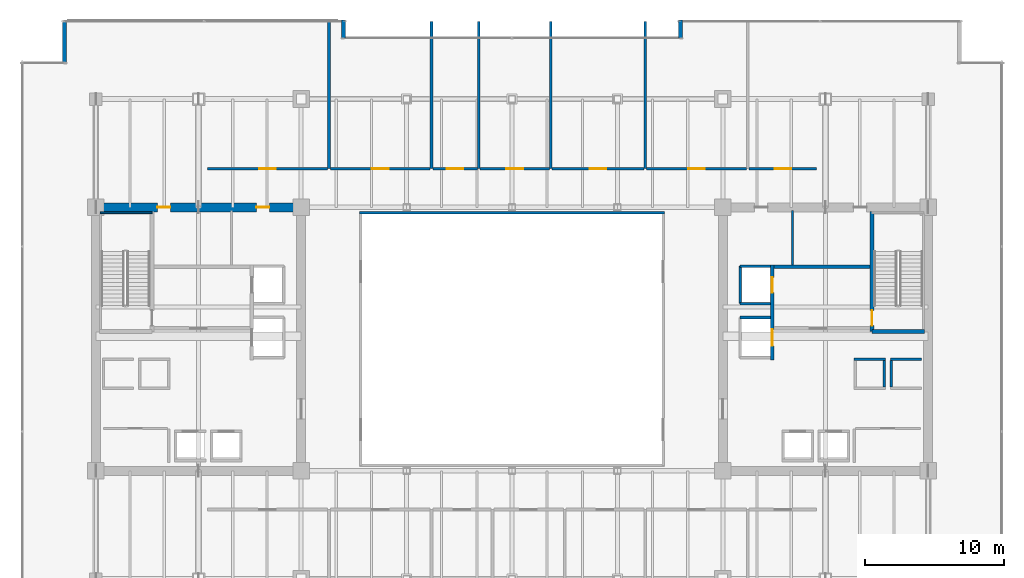
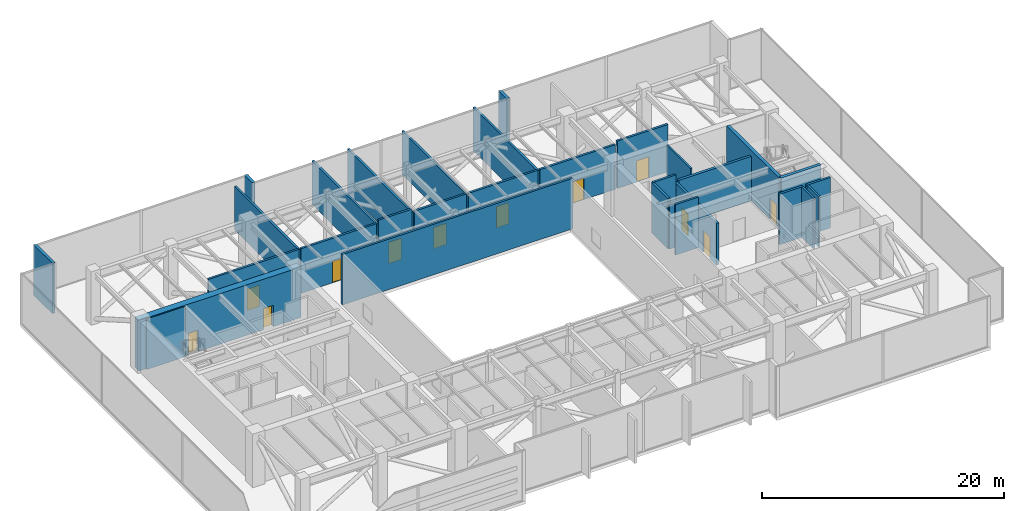
# One storey, part 30 of 34: 31 walls, 12 doors, 12 openings.
"""IFC4 building model written with IfcOpenShell, lengths in metres."""

from ifc_helpers import new_model, si_unit, direction, frame, frame_2d, origin, place, context, subcontext, project, spatial, rectangle, extrude, source, transform, mapped, material, layer, layer_set, type_object, type_shapes, element, fill, save


model = new_model("IFC4")

# Units and contexts
model_context = context("Model", 3, precision=1e-05, world=origin(), true_north=direction((0.0, 1.0)))
body_context = subcontext(model_context, "Body", "Model", "MODEL_VIEW")
ifc_project = project(units=[si_unit("LENGTHUNIT", "METRE"), si_unit("AREAUNIT", "SQUARE_METRE"), si_unit("VOLUMEUNIT", "CUBIC_METRE"), si_unit("PLANEANGLEUNIT", "RADIAN"), si_unit("MASSUNIT", "GRAM", prefix="KILO")], contexts=[model_context])

# Site, building, storey
site_placement = place(None, origin())
site = spatial("IfcSite", under=ifc_project, at=site_placement, CompositionType="ELEMENT")
building_placement = place(site_placement, origin())
building = spatial("IfcBuilding", under=site, at=building_placement, Name="Haelvirn Gate Laboratories", CompositionType="ELEMENT")
storey_placement = place(building_placement, frame((0.0, 0.0, 191.199951171875)))
storey = spatial("IfcBuildingStorey", under=building, at=storey_placement, Name="L46", CompositionType="ELEMENT", Elevation=191.199951171875)

# Walls
ifc_material_1 = material(Name="Thermally-broken bronze aluminium rainscreen & mineral wool", Category="aluminium")
ifc_layer_1 = layer(ifc_material_1, 0.280029296875, Name="EW-TERR-280")
ifc_layer_set_1 = layer_set([ifc_layer_1], Name="Thermally-broken bronze aluminium rainscreen & mineral wool")
wall_type_1 = type_object("IfcWallType", Name="EW-TERR-280", PredefinedType="STANDARD", material=ifc_layer_set_1)
for number, where, z_axis, x_axis, name in (
    (1, (49.5400390625, 47.300048828125, 0.0), (0.0, 0.0, 1.0), (0.0, -1.0, 0.0), "L46 Atrium Recess Bronze Return Wall 11"),
    (2, (25.260009765625, 46.011962890625, 0.0), (0.0, 0.0, 1.0), (0.0, 1.0, 0.0), "L46 Atrium Recess Bronze Return Wall 13"),
):
    element("IfcWall", number, at=place(storey_placement, frame(where, z_axis=z_axis, x_axis=x_axis)), inside=storey, type_object=wall_type_1, Name=name, PredefinedType="STANDARD", context=body_context, shape_type="SweptSolid", body=[
        extrude(rectangle(XDim=1.2880859375, YDim=0.280029296875, at=frame_2d((0.64404296875, 0.0))), origin(), (0.0, 0.0, 1.0), 5.10009765625),
    ])
wall_1_placement = place(storey_placement, frame((5.139892578125, 47.300048828125, 0.0), z_axis=(0.0, 0.0, 1.0), x_axis=(0.0, -1.0, 0.0)))
element("IfcWall", 3, at=wall_1_placement, inside=storey, type_object=wall_type_1, Name="L46 Atrium Recess Bronze Return Wall 15", PredefinedType="STANDARD", context=body_context, shape_type="SweptSolid", body=[
    extrude(rectangle(XDim=3.088134765625, YDim=0.280029296875, at=frame_2d((1.5439453125, 0.0))), origin(), (0.0, 0.0, 1.0), 5.10009765625),
])
ifc_material_2 = material(Name="Tempered fire-rated borosilicate glass & anodised aluminium", Category="aluminium")
ifc_layer_2 = layer(ifc_material_2, 0.195068359375, Name="IW-GLAZ-200")
ifc_layer_set_2 = layer_set([ifc_layer_2], Name="Tempered fire-rated borosilicate glass & anodised aluminium")
wall_type_2 = type_object("IfcWallType", Name="IW-GLAZ-200", PredefinedType="SOLIDWALL", material=ifc_layer_set_2)
wall_2_placement = place(storey_placement, frame((26.39990234375, 33.39990234375, 0.0), z_axis=(0.0, 0.0, 1.0), x_axis=(1.0, 0.0, 0.0)))
element("IfcWall", 4, at=wall_2_placement, inside=storey, type_object=wall_type_2, Name="L46 Interior Wall IW-L46-ATRIUM-N", PredefinedType="SOLIDWALL", context=body_context, shape_type="SweptSolid", body=[
    extrude(rectangle(XDim=22.0, YDim=0.195068359375, at=frame_2d((11.0, 0.0))), origin(), (0.0, 0.0, 1.0), 5.10009765625),
])
ifc_material_3 = material(Name="Cement-board restroom plumbing chase wall", Category="gypsum")
ifc_layer_3 = layer(ifc_material_3, 0.155029296875, Name="IW-PLUMB-160")
ifc_layer_set_3 = layer_set([ifc_layer_3], Name="Cement-board restroom plumbing chase wall")
wall_type_3 = type_object("IfcWallType", Name="IW-PLUMB-160", PredefinedType="PLUMBINGWALL", material=ifc_layer_set_3)
wall_3_placement = place(storey_placement, frame((57.610107421875, 29.64990234375, 0.0), z_axis=(0.0, 0.0, 1.0), x_axis=(0.0, 1.0, 0.0)))
element("IfcWall", 5, at=wall_3_placement, inside=storey, type_object=wall_type_3, Name="L46 Interior Wall IW-L46-E-CDIV-1", PredefinedType="PLUMBINGWALL", context=body_context, shape_type="SweptSolid", body=[
    extrude(rectangle(XDim=3.93017578125, YDim=0.155029296875, at=frame_2d((1.965087890625, 0.0))), origin(), (0.0, 0.0, 1.0), 5.10009765625),
])
ifc_material_4 = material(Name="Concrete C40/50", Category="concrete")
ifc_layer_4 = layer(ifc_material_4, 0.179931640625, Name="IW-SHAFT-180")
ifc_layer_set_4 = layer_set([ifc_layer_4], Name="Concrete C40/50")
wall_type_4 = type_object("IfcWallType", Name="IW-SHAFT-180", PredefinedType="SOLIDWALL", material=ifc_layer_set_4)
for number, where, z_axis, x_axis, name in (
    (6, (64.75, 20.85009765625, 0.0), (0.0, 0.0, 1.0), (0.0, 1.0, 0.0), "L46 Interior Wall IW-L46-PL11-SD"),
    (7, (64.25, 20.85009765625, 0.0), (0.0, 0.0, 1.0), (0.0, 1.0, 0.0), "L46 Interior Wall IW-L46-PL12-SDE"),
):
    element("IfcWall", number, at=place(storey_placement, frame(where, z_axis=z_axis, x_axis=x_axis)), inside=storey, type_object=wall_type_4, Name=name, PredefinedType="SOLIDWALL", context=body_context, shape_type="SweptSolid", body=[
        extrude(rectangle(XDim=1.89990234375, YDim=0.179931640625, at=frame_2d((0.949951171875, 0.0))), origin(), (0.0, 0.0, 1.0), 5.10009765625),
    ])
ifc_layer_5 = layer(ifc_material_4, 0.199951171875, Name="IW-SHAFT-200")
ifc_layer_set_5 = layer_set([ifc_layer_5], Name="Concrete C40/50")
wall_type_5 = type_object("IfcWallType", Name="IW-SHAFT-200", PredefinedType="SOLIDWALL", material=ifc_layer_set_5)
for number, where, z_axis, x_axis, name in (
    (8, (64.669921875, 22.85009765625, 0.0), (0.0, 0.0, 1.0), (1.0, 0.0, 0.0), "L46 Interior Wall IW-L46-PL11-BK"),
    (9, (62.070068359375, 22.85009765625, 0.0), (0.0, 0.0, 1.0), (1.0, 0.0, 0.0), "L46 Interior Wall IW-L46-PL12-BK"),
):
    element("IfcWall", number, at=place(storey_placement, frame(where, z_axis=z_axis, x_axis=x_axis)), inside=storey, type_object=wall_type_5, Name=name, PredefinedType="SOLIDWALL", context=body_context, shape_type="SweptSolid", body=[
        extrude(rectangle(XDim=2.260009765625, YDim=0.199951171875, at=frame_2d((1.1298828125, 0.0))), origin(), (0.0, 0.0, 1.0), 5.10009765625),
    ])
wall_4_placement = place(storey_placement, frame((53.85009765625, 26.85009765625, 0.0), z_axis=(0.0, 0.0, 1.0), x_axis=(0.0, 1.0, 0.0)))
element("IfcWall", 10, at=wall_4_placement, inside=storey, type_object=wall_type_5, Name="L46 Interior Wall IW-L46-FL2-BK", PredefinedType="SOLIDWALL", context=body_context, shape_type="SweptSolid", body=[
    extrude(rectangle(XDim=2.699951171875, YDim=0.199951171875, at=frame_2d((1.35009765625, 0.0))), origin(), (0.0, 0.0, 1.0), 5.10009765625),
])
wall_5_placement = place(storey_placement, frame((53.85009765625, 29.550048828125, 0.0), z_axis=(0.0, 0.0, 1.0), x_axis=(1.0, 0.0, 0.0)))
element("IfcWall", 11, at=wall_5_placement, inside=storey, type_object=wall_type_5, Name="L46 Interior Wall IW-L46-FL2-N", PredefinedType="SOLIDWALL", context=body_context, shape_type="SweptSolid", body=[
    extrude(rectangle(XDim=2.18994140625, YDim=0.199951171875, at=frame_2d((1.094970703125, 0.0))), origin(), (0.0, 0.0, 1.0), 5.10009765625),
])
wall_6_placement = place(storey_placement, frame((53.85009765625, 26.85009765625, 0.0), z_axis=(0.0, 0.0, 1.0), x_axis=(1.0, 0.0, 0.0)))
element("IfcWall", 12, at=wall_6_placement, inside=storey, type_object=wall_type_5, Name="L46 Interior Wall IW-L46-FL2-S", PredefinedType="SOLIDWALL", context=body_context, shape_type="SweptSolid", body=[
    extrude(rectangle(XDim=2.18994140625, YDim=0.199951171875, at=frame_2d((1.094970703125, 0.0))), origin(), (0.0, 0.0, 1.0), 4.4970703125),
])
wall_7_placement = place(storey_placement, frame((53.85009765625, 25.85009765625, 0.0), z_axis=(0.0, 0.0, 1.0), x_axis=(1.0, 0.0, 0.0)))
element("IfcWall", 13, at=wall_7_placement, inside=storey, type_object=wall_type_5, Name="L46 Interior Wall IW-L46-SL2-N", PredefinedType="SOLIDWALL", context=body_context, shape_type="SweptSolid", body=[
    extrude(rectangle(XDim=2.18994140625, YDim=0.199951171875, at=frame_2d((1.094970703125, 0.0))), origin(), (0.0, 0.0, 1.0), 5.10009765625),
])

# Wall, opening, door
wall_8_placement = place(storey_placement, frame((15.449951171875, 36.580078125, 0.0), z_axis=(0.0, 0.0, 1.0), x_axis=(1.0, 0.0, 0.0)))
wall_8 = element("IfcWall", 14, at=wall_8_placement, inside=storey, type_object=wall_type_5, Name="L46 Interior Wall IW-L46-PNW-1", PredefinedType="SOLIDWALL", context=body_context, shape_type="SweptSolid", body=[
    extrude(rectangle(XDim=8.650146484375, YDim=0.199951171875, at=frame_2d((4.3251953125, 0.0))), origin(), (0.0, 0.0, 1.0), 4.4970703125),
])
opening_1_placement = place(wall_8_placement, frame((3.72509765625, 0.0, 0.0)))
opening_1 = element("IfcOpeningElement", 15, at=opening_1_placement, cuts=wall_8, Name="Opening FD2", PredefinedType="OPENING", context=body_context, shape_type="SweptSolid", body=[
    extrude(rectangle(XDim=1.199951171875, YDim=2.159912109375, at=frame_2d((0.60009765625, 1.080078125))), frame((0.0, 0.10986328125, 0.0), z_axis=(0.0, -1.0, 0.0), x_axis=(1.0, 0.0, 0.0)), (0.0, 0.0, 1.0), 0.219970703125),
])
ifc_material_5 = material(Name="Fire-rated steel SM355 compartment door", Category="steel")
door_type_1 = type_object("IfcDoorType", Name="DR-FD-1200", OperationType="NOTDEFINED", PredefinedType="DOOR", material=ifc_material_5)
shared_shape_1 = source(origin(), body_context, "Body", "SweptSolid", [
    extrude(rectangle(XDim=1.199951171875, YDim=2.159912109375, at=frame_2d((0.60009765625, 1.080078125))), frame((0.0, 0.02490234375, 0.0), z_axis=(0.0, -1.0, 0.0), x_axis=(1.0, 0.0, 0.0)), (0.0, 0.0, 1.0), 0.050048828125),
])
type_shapes(door_type_1, [shared_shape_1])
door_1_placement = place(opening_1_placement, origin())
door_1 = element("IfcDoor", 16, at=door_1_placement, inside=storey, type_object=door_type_1, Name="L46 North-West Sky Evacuation Refuge Zone 2A Fire Door", OperationType="SINGLE_SWING_RIGHT", OverallHeight=2.159912109375, OverallWidth=1.199951171875, PredefinedType="DOOR", context=body_context, shape_type="MappedRepresentation", body=[
    mapped(shared_shape_1, transform((0.0, 0.0, 0.0), scale=1.0)),
])
fill(opening_1, door_1)

# Wall
wall_9_placement = place(storey_placement, frame((24.199951171875, 36.580078125, 0.0), z_axis=(0.0, 0.0, 1.0), x_axis=(0.0, 1.0, 0.0)))
element("IfcWall", 17, at=wall_9_placement, inside=storey, type_object=wall_type_5, Name="L46 Interior Wall IW-L46-PNDIV-1", PredefinedType="SOLIDWALL", context=body_context, shape_type="SweptSolid", body=[
    extrude(rectangle(XDim=10.60986328125, YDim=0.199951171875, at=frame_2d((5.304931640625, 0.0))), origin(), (0.0, 0.0, 1.0), 4.385009765625),
])

# Wall, opening, door
wall_10_placement = place(storey_placement, frame((24.300048828125, 36.580078125, 0.0), z_axis=(0.0, 0.0, 1.0), x_axis=(1.0, 0.0, 0.0)))
wall_10 = element("IfcWall", 18, at=wall_10_placement, inside=storey, type_object=wall_type_5, Name="L46 Interior Wall IW-L46-PNW-2", PredefinedType="SOLIDWALL", context=body_context, shape_type="SweptSolid", body=[
    extrude(rectangle(XDim=7.199951171875, YDim=0.199951171875, at=frame_2d((3.60009765625, 0.0))), origin(), (0.0, 0.0, 1.0), 4.4970703125),
])
opening_2_placement = place(wall_10_placement, frame((3.0, 0.0, 0.0)))
opening_2 = element("IfcOpeningElement", 19, at=opening_2_placement, cuts=wall_10, Name="Opening FD2", PredefinedType="OPENING", context=body_context, shape_type="SweptSolid", body=[
    extrude(rectangle(XDim=1.199951171875, YDim=2.159912109375, at=frame_2d((0.60009765625, 1.080078125))), frame((0.0, 0.10986328125, 0.0), z_axis=(0.0, -1.0, 0.0), x_axis=(1.0, 0.0, 0.0)), (0.0, 0.0, 1.0), 0.219970703125),
])
door_2_placement = place(opening_2_placement, origin())
door_2 = element("IfcDoor", 20, at=door_2_placement, inside=storey, type_object=door_type_1, Name="L46 North-West Sky Evacuation Refuge Zone 2B Fire Door", OperationType="SINGLE_SWING_LEFT", OverallHeight=2.159912109375, OverallWidth=1.199951171875, PredefinedType="DOOR", context=body_context, shape_type="MappedRepresentation", body=[
    mapped(shared_shape_1, transform((0.0, 0.0, 0.0), scale=1.0)),
])
fill(opening_2, door_2)

# Wall
wall_11_placement = place(storey_placement, frame((31.60009765625, 36.580078125, 0.0), z_axis=(0.0, 0.0, 1.0), x_axis=(0.0, 1.0, 0.0)))
element("IfcWall", 21, at=wall_11_placement, inside=storey, type_object=wall_type_5, Name="L46 Interior Wall IW-L46-PNDIV-2", PredefinedType="SOLIDWALL", context=body_context, shape_type="SweptSolid", body=[
    extrude(rectangle(XDim=10.60986328125, YDim=0.199951171875, at=frame_2d((5.304931640625, 0.0))), origin(), (0.0, 0.0, 1.0), 4.385009765625),
])

# Wall, opening, door
wall_12_placement = place(storey_placement, frame((31.699951171875, 36.580078125, 0.0), z_axis=(0.0, 0.0, 1.0), x_axis=(1.0, 0.0, 0.0)))
wall_12 = element("IfcWall", 22, at=wall_12_placement, inside=storey, type_object=wall_type_5, Name="L46 Interior Wall IW-L46-PNW-3", PredefinedType="SOLIDWALL", context=body_context, shape_type="SweptSolid", body=[
    extrude(rectangle(XDim=3.199951171875, YDim=0.199951171875, at=frame_2d((1.60009765625, 0.0))), origin(), (0.0, 0.0, 1.0), 4.78515625),
])
opening_3_placement = place(wall_12_placement, frame((1.0, 0.0, 0.0)))
opening_3 = element("IfcOpeningElement", 23, at=opening_3_placement, cuts=wall_12, Name="Opening FD2", PredefinedType="OPENING", context=body_context, shape_type="SweptSolid", body=[
    extrude(rectangle(XDim=1.199951171875, YDim=2.159912109375, at=frame_2d((0.60009765625, 1.080078125))), frame((0.0, 0.10986328125, 0.0), z_axis=(0.0, -1.0, 0.0), x_axis=(1.0, 0.0, 0.0)), (0.0, 0.0, 1.0), 0.219970703125),
])
door_3_placement = place(opening_3_placement, origin())
door_3 = element("IfcDoor", 24, at=door_3_placement, inside=storey, type_object=door_type_1, Name="L46 Mid-Zone AHU Mechanical Plant Fire Door", OperationType="SINGLE_SWING_RIGHT", OverallHeight=2.159912109375, OverallWidth=1.199951171875, PredefinedType="DOOR", context=body_context, shape_type="MappedRepresentation", body=[
    mapped(shared_shape_1, transform((0.0, 0.0, 0.0), scale=1.0)),
])
fill(opening_3, door_3)

# Wall
wall_13_placement = place(storey_placement, frame((35.0, 36.580078125, 0.0), z_axis=(0.0, 0.0, 1.0), x_axis=(0.0, 1.0, 0.0)))
element("IfcWall", 25, at=wall_13_placement, inside=storey, type_object=wall_type_5, Name="L46 Interior Wall IW-L46-PNDIV-3", PredefinedType="SOLIDWALL", context=body_context, shape_type="SweptSolid", body=[
    extrude(rectangle(XDim=10.60986328125, YDim=0.199951171875, at=frame_2d((5.304931640625, 0.0))), origin(), (0.0, 0.0, 1.0), 4.385009765625),
])

# Wall, opening, door
wall_14_placement = place(storey_placement, frame((35.10009765625, 36.580078125, 0.0), z_axis=(0.0, 0.0, 1.0), x_axis=(1.0, 0.0, 0.0)))
wall_14 = element("IfcWall", 26, at=wall_14_placement, inside=storey, type_object=wall_type_5, Name="L46 Interior Wall IW-L46-PNW-4", PredefinedType="SOLIDWALL", context=body_context, shape_type="SweptSolid", body=[
    extrude(rectangle(XDim=5.0, YDim=0.199951171875, at=frame_2d((2.5, 0.0))), origin(), (0.0, 0.0, 1.0), 4.4970703125),
])
opening_4_placement = place(wall_14_placement, frame((1.89990234375, 0.0, 0.0)))
opening_4 = element("IfcOpeningElement", 27, at=opening_4_placement, cuts=wall_14, Name="Opening FD2", PredefinedType="OPENING", context=body_context, shape_type="SweptSolid", body=[
    extrude(rectangle(XDim=1.199951171875, YDim=2.159912109375, at=frame_2d((0.60009765625, 1.080078125))), frame((0.0, 0.10986328125, 0.0), z_axis=(0.0, -1.0, 0.0), x_axis=(1.0, 0.0, 0.0)), (0.0, 0.0, 1.0), 0.219970703125),
])
door_4_placement = place(opening_4_placement, origin())
door_4 = element("IfcDoor", 28, at=door_4_placement, inside=storey, type_object=door_type_1, Name="L46 Lab Process Cooling Plant Fire Door", OperationType="SINGLE_SWING_LEFT", OverallHeight=2.159912109375, OverallWidth=1.199951171875, PredefinedType="DOOR", context=body_context, shape_type="MappedRepresentation", body=[
    mapped(shared_shape_1, transform((0.0, 0.0, 0.0), scale=1.0)),
])
fill(opening_4, door_4)

# Wall
wall_15_placement = place(storey_placement, frame((40.199951171875, 36.580078125, 0.0), z_axis=(0.0, 0.0, 1.0), x_axis=(0.0, 1.0, 0.0)))
element("IfcWall", 29, at=wall_15_placement, inside=storey, type_object=wall_type_5, Name="L46 Interior Wall IW-L46-PNDIV-4", PredefinedType="SOLIDWALL", context=body_context, shape_type="SweptSolid", body=[
    extrude(rectangle(XDim=10.60986328125, YDim=0.199951171875, at=frame_2d((5.304931640625, 0.0))), origin(), (0.0, 0.0, 1.0), 4.385009765625),
])

# Wall, opening, door
wall_16_placement = place(storey_placement, frame((40.300048828125, 36.580078125, 0.0), z_axis=(0.0, 0.0, 1.0), x_axis=(1.0, 0.0, 0.0)))
wall_16 = element("IfcWall", 30, at=wall_16_placement, inside=storey, type_object=wall_type_5, Name="L46 Interior Wall IW-L46-PNW-5", PredefinedType="SOLIDWALL", context=body_context, shape_type="SweptSolid", body=[
    extrude(rectangle(XDim=6.599853515625, YDim=0.199951171875, at=frame_2d((3.2998046875, 0.0))), origin(), (0.0, 0.0, 1.0), 4.4970703125),
])
opening_5_placement = place(wall_16_placement, frame((2.699951171875, 0.0, 0.0)))
opening_5 = element("IfcOpeningElement", 31, at=opening_5_placement, cuts=wall_16, Name="Opening FD2", PredefinedType="OPENING", context=body_context, shape_type="SweptSolid", body=[
    extrude(rectangle(XDim=1.199951171875, YDim=2.159912109375, at=frame_2d((0.60009765625, 1.080078125))), frame((0.0, 0.10986328125, 0.0), z_axis=(0.0, -1.0, 0.0), x_axis=(1.0, 0.0, 0.0)), (0.0, 0.0, 1.0), 0.219970703125),
])
door_5_placement = place(opening_5_placement, origin())
door_5 = element("IfcDoor", 32, at=door_5_placement, inside=storey, type_object=door_type_1, Name="L46 Controls & Telemetry MEP Plant Fire Door", OperationType="SINGLE_SWING_RIGHT", OverallHeight=2.159912109375, OverallWidth=1.199951171875, PredefinedType="DOOR", context=body_context, shape_type="MappedRepresentation", body=[
    mapped(shared_shape_1, transform((0.0, 0.0, 0.0), scale=1.0)),
])
fill(opening_5, door_5)

# Wall
wall_17_placement = place(storey_placement, frame((47.0, 36.580078125, 0.0), z_axis=(0.0, 0.0, 1.0), x_axis=(0.0, 1.0, 0.0)))
element("IfcWall", 33, at=wall_17_placement, inside=storey, type_object=wall_type_5, Name="L46 Interior Wall IW-L46-PNDIV-5", PredefinedType="SOLIDWALL", context=body_context, shape_type="SweptSolid", body=[
    extrude(rectangle(XDim=10.60986328125, YDim=0.199951171875, at=frame_2d((5.304931640625, 0.0))), origin(), (0.0, 0.0, 1.0), 4.385009765625),
])

# Wall, opening, door
wall_18_placement = place(storey_placement, frame((47.10009765625, 36.580078125, 0.0), z_axis=(0.0, 0.0, 1.0), x_axis=(1.0, 0.0, 0.0)))
wall_18 = element("IfcWall", 34, at=wall_18_placement, inside=storey, type_object=wall_type_5, Name="L46 Interior Wall IW-L46-PNW-6", PredefinedType="SOLIDWALL", context=body_context, shape_type="SweptSolid", body=[
    extrude(rectangle(XDim=7.199951171875, YDim=0.199951171875, at=frame_2d((3.60009765625, 0.0))), origin(), (0.0, 0.0, 1.0), 4.4970703125),
])
opening_6_placement = place(wall_18_placement, frame((3.0, 0.0, 0.0)))
opening_6 = element("IfcOpeningElement", 35, at=opening_6_placement, cuts=wall_18, Name="Opening FD2", PredefinedType="OPENING", context=body_context, shape_type="SweptSolid", body=[
    extrude(rectangle(XDim=1.199951171875, YDim=2.159912109375, at=frame_2d((0.60009765625, 1.080078125))), frame((0.0, 0.10986328125, 0.0), z_axis=(0.0, -1.0, 0.0), x_axis=(1.0, 0.0, 0.0)), (0.0, 0.0, 1.0), 0.219970703125),
])
door_6_placement = place(opening_6_placement, origin())
door_6 = element("IfcDoor", 36, at=door_6_placement, inside=storey, type_object=door_type_1, Name="L46 North-East Sky Evacuation Refuge Zone 2B Fire Door", OperationType="SINGLE_SWING_LEFT", OverallHeight=2.159912109375, OverallWidth=1.199951171875, PredefinedType="DOOR", context=body_context, shape_type="MappedRepresentation", body=[
    mapped(shared_shape_1, transform((0.0, 0.0, 0.0), scale=1.0)),
])
fill(opening_6, door_6)

wall_19_placement = place(storey_placement, frame((54.5, 36.580078125, 0.0), z_axis=(0.0, 0.0, 1.0), x_axis=(1.0, 0.0, 0.0)))
wall_19 = element("IfcWall", 37, at=wall_19_placement, inside=storey, type_object=wall_type_5, Name="L46 Interior Wall IW-L46-PNW-7", PredefinedType="SOLIDWALL", context=body_context, shape_type="SweptSolid", body=[
    extrude(rectangle(XDim=4.85009765625, YDim=0.199951171875, at=frame_2d((2.425048828125, 0.0))), origin(), (0.0, 0.0, 1.0), 4.78515625),
])
opening_7_placement = place(wall_19_placement, frame((1.824951171875, 0.0, 0.0)))
opening_7 = element("IfcOpeningElement", 38, at=opening_7_placement, cuts=wall_19, Name="Opening FD2", PredefinedType="OPENING", context=body_context, shape_type="SweptSolid", body=[
    extrude(rectangle(XDim=1.199951171875, YDim=2.159912109375, at=frame_2d((0.60009765625, 1.080078125))), frame((0.0, 0.10986328125, 0.0), z_axis=(0.0, -1.0, 0.0), x_axis=(1.0, 0.0, 0.0)), (0.0, 0.0, 1.0), 0.219970703125),
])
door_7_placement = place(opening_7_placement, origin())
door_7 = element("IfcDoor", 39, at=door_7_placement, inside=storey, type_object=door_type_1, Name="L46 North-East Sky Evacuation Refuge Zone 2A Fire Door", OperationType="SINGLE_SWING_RIGHT", OverallHeight=2.159912109375, OverallWidth=1.199951171875, PredefinedType="DOOR", context=body_context, shape_type="MappedRepresentation", body=[
    mapped(shared_shape_1, transform((0.0, 0.0, 0.0), scale=1.0)),
])
fill(opening_7, door_7)

# Wall
ifc_layer_6 = layer(ifc_material_4, 0.239990234375, Name="IW-SHAFT-240")
ifc_layer_set_6 = layer_set([ifc_layer_6], Name="Concrete C40/50")
wall_type_6 = type_object("IfcWallType", Name="IW-SHAFT-240", PredefinedType="SOLIDWALL", material=ifc_layer_set_6)
wall_20_placement = place(storey_placement, frame((56.280029296875, 29.52001953125, 0.0), z_axis=(0.0, 0.0, 1.0), x_axis=(1.0, 0.0, 0.0)))
element("IfcWall", 40, at=wall_20_placement, inside=storey, type_object=wall_type_6, Name="L46 Interior Wall IW-L46-E-FF-N", PredefinedType="SOLIDWALL", context=body_context, shape_type="SweptSolid", body=[
    extrude(rectangle(XDim=6.919921875, YDim=0.239990234375, at=frame_2d((3.4599609375, 0.0))), origin(), (0.0, 0.0, 1.0), 4.4970703125),
])

# Wall, openings, doors
wall_21_placement = place(storey_placement, frame((56.159912109375, 22.800048828125, 0.0), z_axis=(0.0, 0.0, 1.0), x_axis=(0.0, 1.0, 0.0)))
wall_21 = element("IfcWall", 41, at=wall_21_placement, inside=storey, type_object=wall_type_6, Name="L46 Interior Wall IW-L46-E-FF-E", PredefinedType="SOLIDWALL", context=body_context, shape_type="SweptSolid", body=[
    extrude(rectangle(XDim=6.849853515625, YDim=0.239990234375, at=frame_2d((3.4248046875, 0.0))), origin(), (0.0, 0.0, 1.0), 4.235107421875),
])
opening_8_placement = place(wall_21_placement, frame((4.85009765625, 0.0, 0.0)))
opening_8 = element("IfcOpeningElement", 42, at=opening_8_placement, cuts=wall_21, Name="Opening LD2", PredefinedType="OPENING", context=body_context, shape_type="SweptSolid", body=[
    extrude(rectangle(XDim=1.10009765625, YDim=2.219970703125, at=frame_2d((0.550048828125, 1.10986328125))), frame((0.0, 0.1298828125, 0.0), z_axis=(0.0, -1.0, 0.0), x_axis=(1.0, 0.0, 0.0)), (0.0, 0.0, 1.0), 0.260009765625),
])
opening_9_placement = place(wall_21_placement, frame((1.0, 0.0, 0.0)))
opening_9 = element("IfcOpeningElement", 43, at=opening_9_placement, cuts=wall_21, Name="Opening LD1", PredefinedType="OPENING", context=body_context, shape_type="SweptSolid", body=[
    extrude(rectangle(XDim=1.199951171875, YDim=2.219970703125, at=frame_2d((0.60009765625, 1.10986328125))), frame((0.0, 0.1298828125, 0.0), z_axis=(0.0, -1.0, 0.0), x_axis=(1.0, 0.0, 0.0)), (0.0, 0.0, 1.0), 0.260009765625),
])
ifc_material_6 = material(Name="Bronze stainless 316L sliding lift landing door")
door_type_2 = type_object("IfcDoorType", Name="DR-LD-1100", OperationType="NOTDEFINED", PredefinedType="USERDEFINED", material=ifc_material_6)
shared_shape_2 = source(origin(), body_context, "Body", "SweptSolid", [
    extrude(rectangle(XDim=1.10009765625, YDim=2.219970703125, at=frame_2d((0.550048828125, 1.10986328125))), frame((0.0, 0.02490234375, 0.0), z_axis=(0.0, -1.0, 0.0), x_axis=(1.0, 0.0, 0.0)), (0.0, 0.0, 1.0), 0.050048828125),
])
type_shapes(door_type_2, [shared_shape_2])
door_8_placement = place(opening_8_placement, origin())
door_8 = element("IfcDoor", 44, at=door_8_placement, inside=storey, type_object=door_type_2, Name="L46 Firefighting Lift FL2 Landing Door", ObjectType="LANDING_DOOR", OperationType="SLIDING_TO_RIGHT", OverallHeight=2.219970703125, OverallWidth=1.10009765625, PredefinedType="USERDEFINED", context=body_context, shape_type="MappedRepresentation", body=[
    mapped(shared_shape_2, transform((0.0, 0.0, 0.0), scale=1.0)),
])
fill(opening_8, door_8)
ifc_material_7 = material(Name="Stainless steel 316L sliding goods landing door", Category="steel")
door_type_3 = type_object("IfcDoorType", Name="DR-LD-1200", OperationType="NOTDEFINED", PredefinedType="USERDEFINED", material=ifc_material_7)
shared_shape_3 = source(origin(), body_context, "Body", "SweptSolid", [
    extrude(rectangle(XDim=1.199951171875, YDim=2.219970703125, at=frame_2d((0.60009765625, 1.10986328125))), frame((0.0, 0.02490234375, 0.0), z_axis=(0.0, -1.0, 0.0), x_axis=(1.0, 0.0, 0.0)), (0.0, 0.0, 1.0), 0.050048828125),
])
type_shapes(door_type_3, [shared_shape_3])
door_9_placement = place(opening_9_placement, origin())
door_9 = element("IfcDoor", 45, at=door_9_placement, inside=storey, type_object=door_type_3, Name="L46 Service Lift SL2 Landing Door", ObjectType="LANDING_DOOR", OperationType="SLIDING_TO_LEFT", OverallHeight=2.219970703125, OverallWidth=1.199951171875, PredefinedType="USERDEFINED", context=body_context, shape_type="MappedRepresentation", body=[
    mapped(shared_shape_3, transform((0.0, 0.0, 0.0), scale=1.0)),
])
fill(opening_9, door_9)

ifc_material_8 = material(Name="Concrete C60/75", Category="concrete")
ifc_layer_7 = layer(ifc_material_8, 0.64990234375, Name="SW-CORE-650")
ifc_layer_set_7 = layer_set([ifc_layer_7], Name="Concrete C60/75")
wall_type_7 = type_object("IfcWallType", Name="SW-CORE-650", PredefinedType="SHEAR", material=ifc_layer_set_7)
wall_22_placement = place(storey_placement, frame((7.074951171875, 33.800048828125, 0.0), z_axis=(0.0, 0.0, 1.0), x_axis=(1.0, 0.0, 0.0)))
wall_22 = element("IfcWall", 46, at=wall_22_placement, inside=storey, type_object=wall_type_7, Name="L46 W Core Shear Wall N", PredefinedType="SHEAR", context=body_context, shape_type="SweptSolid", body=[
    extrude(rectangle(XDim=15.449951171875, YDim=0.64990234375, at=frame_2d((7.72509765625, 0.0))), origin(), (0.0, 0.0, 1.0), 5.10009765625),
])
opening_10_placement = place(wall_22_placement, frame((4.75, 0.0, 0.0)))
opening_10 = element("IfcOpeningElement", 47, at=opening_10_placement, cuts=wall_22, Name="Opening FD4", PredefinedType="OPENING", context=body_context, shape_type="SweptSolid", body=[
    extrude(rectangle(XDim=0.949951171875, YDim=2.14990234375, at=frame_2d((0.47509765625, 1.074951171875))), frame((0.0, 0.3349609375, 0.0), z_axis=(0.0, -1.0, 0.0), x_axis=(1.0, 0.0, 0.0)), (0.0, 0.0, 1.0), 0.669921875),
])
opening_11_placement = place(wall_22_placement, frame((11.889892578125, 0.0, 0.0)))
opening_11 = element("IfcOpeningElement", 48, at=opening_11_placement, cuts=wall_22, Name="Opening FD4", PredefinedType="OPENING", context=body_context, shape_type="SweptSolid", body=[
    extrude(rectangle(XDim=0.949951171875, YDim=2.14990234375, at=frame_2d((0.47509765625, 1.074951171875))), frame((0.0, 0.3349609375, 0.0), z_axis=(0.0, -1.0, 0.0), x_axis=(1.0, 0.0, 0.0)), (0.0, 0.0, 1.0), 0.669921875),
])
ifc_material_9 = material(Name="Fire-rated steel SM355 core service door", Category="steel")
door_type_4 = type_object("IfcDoorType", Name="DR-FD-950", OperationType="NOTDEFINED", PredefinedType="DOOR", material=ifc_material_9)
shared_shape_4 = source(origin(), body_context, "Body", "SweptSolid", [
    extrude(rectangle(XDim=0.949951171875, YDim=2.14990234375, at=frame_2d((0.47509765625, 1.074951171875))), frame((0.0, 0.02490234375, 0.0), z_axis=(0.0, -1.0, 0.0), x_axis=(1.0, 0.0, 0.0)), (0.0, 0.0, 1.0), 0.050048828125),
])
type_shapes(door_type_4, [shared_shape_4])
door_10_placement = place(opening_10_placement, origin())
door_10 = element("IfcDoor", 49, at=door_10_placement, inside=storey, type_object=door_type_4, Name="L46 All-Gender Multi-Stall Restroom Fire Door", OperationType="SINGLE_SWING_LEFT", OverallHeight=2.14990234375, OverallWidth=0.949951171875, PredefinedType="DOOR", context=body_context, shape_type="MappedRepresentation", body=[
    mapped(shared_shape_4, transform((0.0, 0.0, 0.0), scale=1.0)),
])
fill(opening_10, door_10)
door_11_placement = place(opening_11_placement, origin())
door_11 = element("IfcDoor", 50, at=door_11_placement, inside=storey, type_object=door_type_4, Name="L46 Accessible Restroom Fire Door", OperationType="SINGLE_SWING_RIGHT", OverallHeight=2.14990234375, OverallWidth=0.949951171875, PredefinedType="DOOR", context=body_context, shape_type="MappedRepresentation", body=[
    mapped(shared_shape_4, transform((0.0, 0.0, 0.0), scale=1.0)),
])
fill(opening_11, door_11)

# Wall
ifc_material_10 = material(Name="Concrete C50/60", Category="concrete")
ifc_layer_8 = layer(ifc_material_10, 0.1201171875, Name="SW-LINER-120")
ifc_layer_set_8 = layer_set([ifc_layer_8], Name="Concrete C50/60")
wall_type_8 = type_object("IfcWallType", Name="SW-LINER-120", PredefinedType="SOLIDWALL", material=ifc_layer_set_8)
wall_23_placement = place(storey_placement, frame((7.72998046875, 33.39990234375, 0.0), z_axis=(0.0, 0.0, 1.0), x_axis=(1.0, 0.0, 0.0)))
element("IfcWall", 51, at=wall_23_placement, inside=storey, type_object=wall_type_8, Name="L46 W Core Stair Shaft Liner Wall N", PredefinedType="SOLIDWALL", context=body_context, shape_type="SweptSolid", body=[
    extrude(rectangle(XDim=3.719970703125, YDim=0.1201171875, at=frame_2d((1.85986328125, 0.0))), origin(), (0.0, 0.0, 1.0), 5.10009765625),
])

# Wall, opening, door
ifc_layer_9 = layer(ifc_material_10, 0.300048828125, Name="SW-STAIR-300")
ifc_layer_set_9 = layer_set([ifc_layer_9], Name="Concrete C50/60")
wall_type_9 = type_object("IfcWallType", Name="SW-STAIR-300", PredefinedType="SHEAR", material=ifc_layer_set_9)
wall_24_placement = place(storey_placement, frame((63.35009765625, 24.85009765625, 0.0), z_axis=(0.0, 0.0, 1.0), x_axis=(0.0, 1.0, 0.0)))
wall_24 = element("IfcWall", 52, at=wall_24_placement, inside=storey, type_object=wall_type_9, Name="L46 E Core Stair Shaft Structural Wall IN", PredefinedType="SHEAR", context=body_context, shape_type="SweptSolid", body=[
    extrude(rectangle(XDim=8.6298828125, YDim=0.300048828125, at=frame_2d((4.31494140625, 0.0))), origin(), (0.0, 0.0, 1.0), 5.10009765625),
])
opening_12_placement = place(wall_24_placement, frame((0.419921875, 0.0, 0.0)))
opening_12 = element("IfcOpeningElement", 53, at=opening_12_placement, cuts=wall_24, Name="Opening FD3", PredefinedType="OPENING", context=body_context, shape_type="SweptSolid", body=[
    extrude(rectangle(XDim=1.10009765625, YDim=2.14990234375, at=frame_2d((0.550048828125, 1.074951171875))), frame((0.0, 0.16015625, 0.0), z_axis=(0.0, -1.0, 0.0), x_axis=(1.0, 0.0, 0.0)), (0.0, 0.0, 1.0), 0.320068359375),
])
ifc_material_11 = material(Name="Fire-rated steel SM355 escape stair door", Category="steel")
door_type_5 = type_object("IfcDoorType", Name="DR-FD-1100", OperationType="NOTDEFINED", PredefinedType="DOOR", material=ifc_material_11)
shared_shape_5 = source(origin(), body_context, "Body", "SweptSolid", [
    extrude(rectangle(XDim=1.10009765625, YDim=2.14990234375, at=frame_2d((0.550048828125, 1.074951171875))), frame((0.0, 0.02490234375, 0.0), z_axis=(0.0, -1.0, 0.0), x_axis=(1.0, 0.0, 0.0)), (0.0, 0.0, 1.0), 0.050048828125),
])
type_shapes(door_type_5, [shared_shape_5])
door_12_placement = place(opening_12_placement, origin())
door_12 = element("IfcDoor", 54, at=door_12_placement, inside=storey, type_object=door_type_5, Name="L46 Escape Stair ST2 Fire Door", OperationType="SINGLE_SWING_RIGHT", OverallHeight=2.14990234375, OverallWidth=1.10009765625, PredefinedType="DOOR", context=body_context, shape_type="MappedRepresentation", body=[
    mapped(shared_shape_5, transform((0.0, 0.0, 0.0), scale=1.0)),
])
fill(opening_12, door_12)

# Wall
wall_25_placement = place(storey_placement, frame((63.35009765625, 24.85009765625, 0.0), z_axis=(0.0, 0.0, 1.0), x_axis=(1.0, 0.0, 0.0)))
element("IfcWall", 55, at=wall_25_placement, inside=storey, type_object=wall_type_9, Name="L46 E Core Stair Shaft Structural Wall S", PredefinedType="SHEAR", context=body_context, shape_type="SweptSolid", body=[
    extrude(rectangle(XDim=3.7998046875, YDim=0.300048828125, at=frame_2d((1.89990234375, 0.0))), origin(), (0.0, 0.0, 1.0), 5.10009765625),
])

save(model, "model.ifc")
